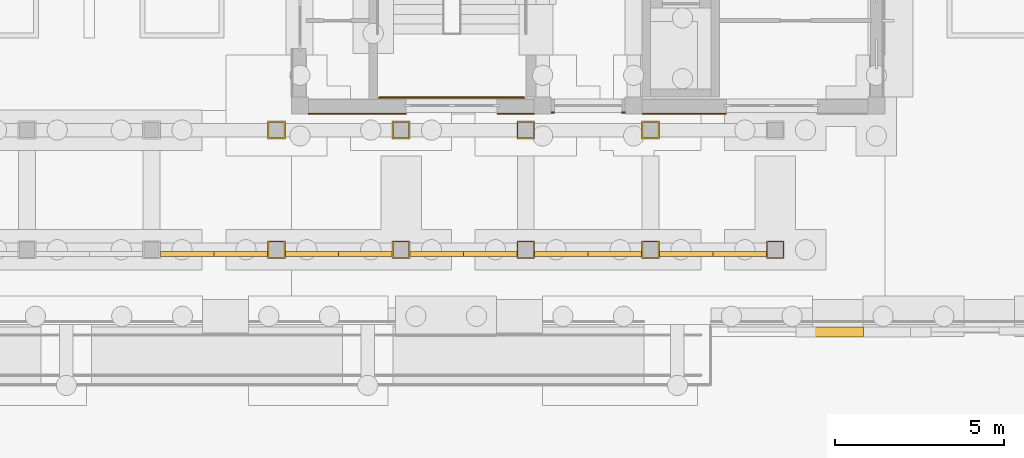
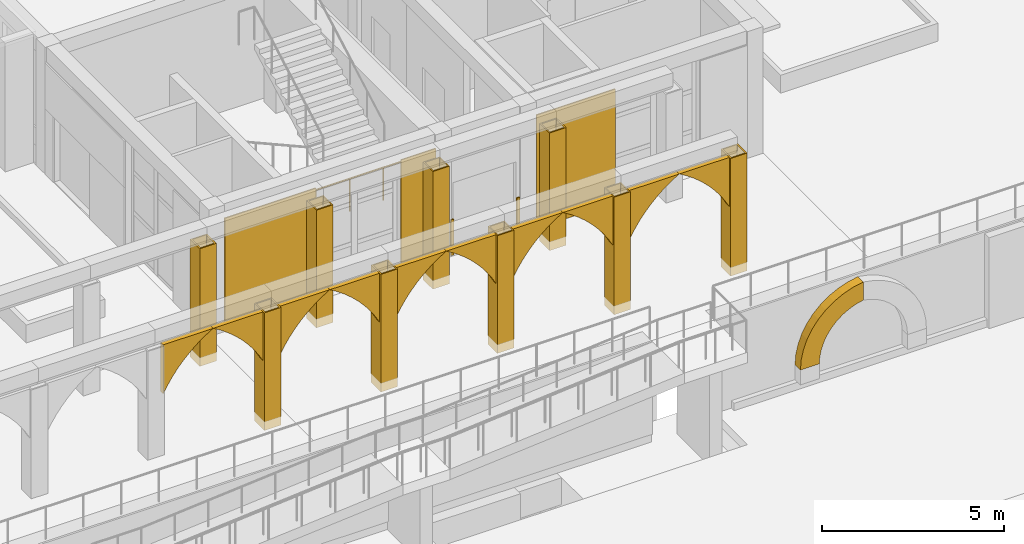
# One storey, part 125 of 161: 25 coverings, 1 railing.
"""IFC4 building model written with IfcOpenShell, lengths in metres."""

from ifc_helpers import new_model, si_unit, direction, frame, origin, origin_2d, place, context, subcontext, project, spatial, polyline, rectangle, circle, outline, extrude, material, layer, layer_set, type_object, element, save


model = new_model("IFC4")

# Units and contexts
model_context = context("Model", 3, precision=1e-05, world=origin(), true_north=direction((0.0, 1.0)))
body_context = subcontext(model_context, "Body", "Model", "MODEL_VIEW")
ifc_project = project(units=[si_unit("LENGTHUNIT", "METRE"), si_unit("AREAUNIT", "SQUARE_METRE"), si_unit("VOLUMEUNIT", "CUBIC_METRE"), si_unit("PLANEANGLEUNIT", "RADIAN"), si_unit("MASSUNIT", "GRAM", prefix="KILO")], contexts=[model_context])

# Site, building, storey
site_placement = place(None, origin())
site = spatial("IfcSite", under=ifc_project, at=site_placement, CompositionType="ELEMENT")
building_placement = place(site_placement, origin())
building = spatial("IfcBuilding", under=site, at=building_placement, Name="Elbe Cascade School", CompositionType="ELEMENT")
storey_placement = place(building_placement, origin())
storey = spatial("IfcBuildingStorey", under=building, at=storey_placement, Name="L00", CompositionType="ELEMENT", Elevation=0.0)

# Railing
ifc_material_1 = material(Name="Steel S355J2H, painted", Category="steel")
railing_type = type_object("IfcRailingType", Name="Bar stair guard 1100", PredefinedType="GUARDRAIL", material=ifc_material_1)
railing_placement = place(storey_placement, frame((160.159912109375, 6.239990234375, 2.25)))
element("IfcRailing", 1, at=railing_placement, inside=storey, type_object=railing_type, Name="Stair guard D0.S", PredefinedType="GUARDRAIL", context=body_context, shape_type="SweptSolid", body=[
    extrude(circle(Radius=0.02392578125, at=origin_2d()), frame((0.0, 0.0, 1.09619140625), z_axis=(1.0, 0.0, 0.0), x_axis=(0.0, 1.0, 0.0)), (0.0, 0.0, 1.0), 4.280029296875),
    extrude(circle(Radius=0.02099609375, at=origin_2d()), origin(), (0.0, 0.0, 1.0), 1.072021484375),
    extrude(circle(Radius=0.02099609375, at=origin_2d()), frame((1.070068359375, 0.0, 0.0)), (0.0, 0.0, 1.0), 1.072021484375),
    extrude(circle(Radius=0.02099609375, at=origin_2d()), frame((2.14013671875, 0.0, 0.0)), (0.0, 0.0, 1.0), 1.072021484375),
    extrude(circle(Radius=0.02099609375, at=origin_2d()), frame((3.2099609375, 0.0, 0.0)), (0.0, 0.0, 1.0), 1.072021484375),
    extrude(circle(Radius=0.02099609375, at=origin_2d()), frame((4.280029296875, 0.0, 0.0)), (0.0, 0.0, 1.0), 1.072021484375),
])

# Coverings
ifc_material_2 = material(Name="Sandstone - red", Category="masonry")
ifc_layer_1 = layer(ifc_material_2, 0.0400390625)
ifc_layer_set_1 = layer_set([ifc_layer_1], Name="Sandstone - red")
covering_type_1 = type_object("IfcCoveringType", Name="Bars envelope Sandstone cladding, red, 40 mm", PredefinedType="CLADDING", material=ifc_layer_set_1)
covering_1_placement = place(storey_placement, frame((159.5, 5.760009765625, 0.0), z_axis=(0.0, 0.0, 1.0), x_axis=(1.0, 0.0, 0.0)))
element("IfcCovering", 2, at=covering_1_placement, inside=storey, type_object=covering_type_1, Name="Sandstone cladding CV48 D.L00.s.1a.1", PredefinedType="CLADDING", context=body_context, shape_type="SweptSolid", body=[
    extrude(rectangle(XDim=2.89990234375, YDim=0.0400390625, at=origin_2d()), origin(), (0.0, 0.0, 1.0), 3.800048828125),
])
covering_2_placement = place(storey_placement, frame((164.199951171875, 5.760009765625, 0.0), z_axis=(0.0, 0.0, 1.0), x_axis=(1.0, 0.0, 0.0)))
element("IfcCovering", 3, at=covering_2_placement, inside=storey, type_object=covering_type_1, Name="Sandstone cladding CV48 D.L00.s.1b.1", PredefinedType="CLADDING", context=body_context, shape_type="SweptSolid", body=[
    extrude(rectangle(XDim=1.10009765625, YDim=0.0400390625, at=origin_2d()), origin(), (0.0, 0.0, 1.0), 3.800048828125),
])
for number, where, z_axis, x_axis, name in (
    (4, (165.300048828125, 5.800048828125, 0.0), (0.0, 0.0, 1.0), (1.0, 0.0, 0.0), "Sandstone cladding CV48 D.L00.s.2.1"),
    (5, (167.39990234375, 5.800048828125, 0.0), (0.0, 0.0, 1.0), (1.0, 0.0, 0.0), "Sandstone cladding CV48 D.L00.s.2.2"),
):
    element("IfcCovering", number, at=place(storey_placement, frame(where, z_axis=z_axis, x_axis=x_axis)), inside=storey, type_object=covering_type_1, Name=name, PredefinedType="CLADDING", context=body_context, shape_type="SweptSolid", body=[
        extrude(rectangle(XDim=0.10009765625, YDim=0.0400390625, at=origin_2d()), origin(), (0.0, 0.0, 1.0), 1.199951171875),
    ])
covering_3_placement = place(storey_placement, frame((169.199951171875, 5.760009765625, 0.0), z_axis=(0.0, 0.0, 1.0), x_axis=(1.0, 0.0, 0.0)))
element("IfcCovering", 6, at=covering_3_placement, inside=storey, type_object=covering_type_1, Name="Sandstone cladding CV48 D.L00.s.3a.1", PredefinedType="CLADDING", context=body_context, shape_type="SweptSolid", body=[
    extrude(rectangle(XDim=2.5, YDim=0.0400390625, at=origin_2d()), origin(), (0.0, 0.0, 1.0), 3.800048828125),
])
ifc_material_3 = material(Name="Sandstone - red", Category="masonry")
ifc_layer_2 = layer(ifc_material_3, 0.300048828125)
ifc_layer_set_2 = layer_set([ifc_layer_2], Name="Sandstone - red")
covering_type_2 = type_object("IfcCoveringType", Name="Plinth niche arch band 600x300", PredefinedType="CLADDING", material=ifc_layer_set_2)
covering_4_placement = place(storey_placement, frame((172.5166015625, -0.860107421875, -2.35009765625), z_axis=(0.0, -1.0, 0.0), x_axis=(1.0, 0.0, 0.0)))
element("IfcCovering", 7, at=covering_4_placement, inside=storey, type_object=covering_type_2, Name="Plinth niche arch band south 0.6.1a", PredefinedType="CLADDING", context=body_context, shape_type="SweptSolid", body=[
    extrude(outline(polyline([(0.0, 0.0), (0.60009765625, 0.0), (0.61669921875, 0.234619140625), (0.666015625, 0.464599609375), (0.746826171875, 0.685302734375), (0.858154296875, 0.892578125), (0.997314453125, 1.08203125), (1.16162109375, 1.250244140625), (1.347900390625, 1.393798828125), (1.552490234375, 1.509521484375), (1.771240234375, 1.595703125), (2.0, 1.650146484375), (2.0, 2.256103515625), (1.6767578125, 2.193115234375), (1.3662109375, 2.083984375), (1.074462890625, 1.930908203125), (0.807861328125, 1.737548828125), (0.572021484375, 1.507568359375), (0.3720703125, 1.245849609375), (0.2119140625, 0.9580078125), (0.094970703125, 0.650146484375), (0.02392578125, 0.32861328125), (0.0, 0.0)])), origin(), (0.0, 0.0, -1.0), 0.300048828125),
])
ifc_material_4 = material(Name="Sandstone - red", Category="masonry")
ifc_layer_3 = layer(ifc_material_4, 0.14990234375)
ifc_layer_set_3 = layer_set([ifc_layer_3], Name="Sandstone - red")
covering_type_3 = type_object("IfcCoveringType", Name="Sandstone arch spandrel 3170x150", PredefinedType="CLADDING", material=ifc_layer_set_3)
covering_5_placement = place(storey_placement, frame((153.6650390625, 1.52490234375, 3.64990234375), z_axis=(0.0, -1.0, 0.0), x_axis=(0.0, 0.0, -1.0)))
element("IfcCovering", 8, at=covering_5_placement, inside=storey, type_object=covering_type_3, Name="Colonnade arch spandrel 40l", PredefinedType="CLADDING", context=body_context, shape_type="SweptSolid", body=[
    extrude(outline(polyline([(0.0, 0.0), (1.64990234375, 0.0), (1.39697265625, 0.141845703125), (1.155029296875, 0.3017578125), (0.92529296875, 0.478759765625), (0.709228515625, 0.671875), (0.507568359375, 0.88037109375), (0.3212890625, 1.1025390625), (0.15185546875, 1.337890625), (0.0, 1.5849609375), (0.0, 0.0)])), origin(), (0.0, 0.0, -1.0), 0.14990234375),
])
covering_6_placement = place(storey_placement, frame((155.25, 1.52490234375, 3.64990234375), z_axis=(0.0, -1.0, 0.0), x_axis=(0.851947232707, 0.0, -0.52362764698)))
element("IfcCovering", 9, at=covering_6_placement, inside=storey, type_object=covering_type_3, Name="Colonnade arch spandrel 40r", PredefinedType="CLADDING", context=body_context, shape_type="SweptSolid", body=[
    extrude(outline(polyline([(0.0, 0.0), (0.2900065908011918, 0.0), (0.5792338172011682, -0.021111896437985944), (0.8660501932777647, -0.06347873721038338), (1.1492726964852549, -0.12610823030003315), (1.4269340071906127, -0.20906326745450166), (1.6980266242612543, -0.3121033802272114), (1.960951535291733, -0.4344919541630051), (2.2142375666576024, -0.5757003697365862), (1.3503030846525463, 0.8299293662587784), (0.0, 0.0)])), origin(), (0.0, 0.0, -1.0), 0.14990234375),
])
covering_7_placement = place(storey_placement, frame((157.364990234375, 1.52490234375, 3.64990234375), z_axis=(0.0, -1.0, 0.0), x_axis=(0.0, 0.0, -1.0)))
element("IfcCovering", 10, at=covering_7_placement, inside=storey, type_object=covering_type_3, Name="Colonnade arch spandrel 41l", PredefinedType="CLADDING", context=body_context, shape_type="SweptSolid", body=[
    extrude(outline(polyline([(0.0, 0.0), (1.64990234375, 0.0), (1.39697265625, 0.141845703125), (1.155029296875, 0.3017578125), (0.92529296875, 0.478759765625), (0.709228515625, 0.672119140625), (0.507568359375, 0.88037109375), (0.3212890625, 1.102783203125), (0.15185546875, 1.337890625), (0.0, 1.5849609375), (0.0, 0.0)])), origin(), (0.0, 0.0, -1.0), 0.14990234375),
])
covering_8_placement = place(storey_placement, frame((158.949951171875, 1.52490234375, 3.64990234375), z_axis=(0.0, -1.0, 0.0), x_axis=(0.851947232707, 0.0, -0.52362764698)))
element("IfcCovering", 11, at=covering_8_placement, inside=storey, type_object=covering_type_3, Name="Colonnade arch spandrel 41r", PredefinedType="CLADDING", context=body_context, shape_type="SweptSolid", body=[
    extrude(outline(polyline([(0.0, 0.0), (0.2900065908011918, 0.0), (0.5792338172011682, -0.021111896437985944), (0.866258188207625, -0.06335089842938235), (1.1492726964852549, -0.12610823030003315), (1.4269340071906127, -0.20906326745450166), (1.6980266242612543, -0.3121033802272114), (1.960951535291733, -0.4344919541630051), (2.2142375666576024, -0.5757003697365862), (1.3503030846525463, 0.8299293662587784), (0.0, 0.0)])), origin(), (0.0, 0.0, -1.0), 0.14990234375),
])
covering_9_placement = place(storey_placement, frame((161.06494140625, 1.52490234375, 3.64990234375), z_axis=(0.0, -1.0, 0.0), x_axis=(0.0, 0.0, -1.0)))
element("IfcCovering", 12, at=covering_9_placement, inside=storey, type_object=covering_type_3, Name="Colonnade arch spandrel 42l", PredefinedType="CLADDING", context=body_context, shape_type="SweptSolid", body=[
    extrude(outline(polyline([(0.0, 0.0), (1.64990234375, 0.0), (1.39697265625, 0.141845703125), (1.155029296875, 0.3017578125), (0.92529296875, 0.478759765625), (0.709228515625, 0.672119140625), (0.507568359375, 0.88037109375), (0.3212890625, 1.102783203125), (0.15185546875, 1.338134765625), (0.0, 1.5849609375), (0.0, 0.0)])), origin(), (0.0, 0.0, -1.0), 0.14990234375),
])
covering_10_placement = place(storey_placement, frame((162.64990234375, 1.52490234375, 3.64990234375), z_axis=(0.0, -1.0, 0.0), x_axis=(0.851947232707, 0.0, -0.52362764698)))
element("IfcCovering", 13, at=covering_10_placement, inside=storey, type_object=covering_type_3, Name="Colonnade arch spandrel 42r", PredefinedType="CLADDING", context=body_context, shape_type="SweptSolid", body=[
    extrude(outline(polyline([(0.0, 0.0), (0.2900065908011918, 0.0), (0.5792338172011682, -0.021111896437985944), (0.866258188207625, -0.06335089842938235), (1.1492726964852549, -0.12610823030003315), (1.4269340071906127, -0.20906326745450166), (1.6980266242612543, -0.3121033802272114), (1.960951535291733, -0.4344919541630051), (2.2144455615874628, -0.5755725309555851), (1.3505110795824065, 0.8300572050397795), (0.0, 0.0)])), origin(), (0.0, 0.0, -1.0), 0.14990234375),
])
covering_11_placement = place(storey_placement, frame((164.764892578125, 1.52490234375, 3.64990234375), z_axis=(0.0, -1.0, 0.0), x_axis=(0.0, 0.0, -1.0)))
element("IfcCovering", 14, at=covering_11_placement, inside=storey, type_object=covering_type_3, Name="Colonnade arch spandrel 43l", PredefinedType="CLADDING", context=body_context, shape_type="SweptSolid", body=[
    extrude(outline(polyline([(0.0, 0.0), (1.64990234375, 0.0), (1.39697265625, 0.14208984375), (1.155029296875, 0.302001953125), (0.92529296875, 0.47900390625), (0.709228515625, 0.672119140625), (0.507568359375, 0.88037109375), (0.3212890625, 1.102783203125), (0.15185546875, 1.338134765625), (0.0, 1.585205078125), (0.0, 0.0)])), origin(), (0.0, 0.0, -1.0), 0.14990234375),
])
covering_12_placement = place(storey_placement, frame((166.35009765625, 1.52490234375, 3.64990234375), z_axis=(0.0, -1.0, 0.0), x_axis=(0.851716162106, 0.0, -0.524003415262)))
element("IfcCovering", 15, at=covering_12_placement, inside=storey, type_object=covering_type_3, Name="Colonnade arch spandrel 43r", PredefinedType="CLADDING", context=body_context, shape_type="SweptSolid", body=[
    extrude(outline(polyline([(0.0, 0.0), (0.28979862406807466, 0.0), (0.5790351354115117, -0.02098430766332937), (0.8660781113695626, -0.06309669056939587), (1.1491202762337052, -0.12572917022788543), (1.4270260923703046, -0.20843378413815372), (1.6981641371186122, -0.3113542998796086), (1.9611430118023847, -0.4336268779193272), (2.214491309750543, -0.5747235477618304), (1.3499368467761932, 0.8305249443074108), (0.0, 0.0)])), origin(), (0.0, 0.0, -1.0), 0.14990234375),
])
covering_13_placement = place(storey_placement, frame((168.465087890625, 1.52490234375, 3.64990234375), z_axis=(0.0, -1.0, 0.0), x_axis=(0.0, 0.0, -1.0)))
element("IfcCovering", 16, at=covering_13_placement, inside=storey, type_object=covering_type_3, Name="Colonnade arch spandrel 44l", PredefinedType="CLADDING", context=body_context, shape_type="SweptSolid", body=[
    extrude(outline(polyline([(0.0, 0.0), (1.64990234375, 0.0), (1.39697265625, 0.141845703125), (1.155029296875, 0.3017578125), (0.92529296875, 0.478759765625), (0.709228515625, 0.671875), (0.507568359375, 0.880126953125), (0.3212890625, 1.1025390625), (0.15185546875, 1.337890625), (0.0, 1.5849609375), (0.0, 0.0)])), origin(), (0.0, 0.0, -1.0), 0.14990234375),
])
covering_14_placement = place(storey_placement, frame((170.050048828125, 1.52490234375, 3.64990234375), z_axis=(0.0, -1.0, 0.0), x_axis=(0.851947232707, 0.0, -0.52362764698)))
element("IfcCovering", 17, at=covering_14_placement, inside=storey, type_object=covering_type_3, Name="Colonnade arch spandrel 44r", PredefinedType="CLADDING", context=body_context, shape_type="SweptSolid", body=[
    extrude(outline(polyline([(0.0, 0.0), (0.2900065908011918, 0.0), (0.5790258222713079, -0.021239735218986977), (0.8660501932777647, -0.06347873721038338), (1.1490647015553945, -0.12623606908103424), (1.4269340071906127, -0.20906326745450166), (1.6980266242612543, -0.3121033802272114), (1.960951535291733, -0.4344919541630051), (2.2142375666576024, -0.5757003697365862), (1.3503030846525463, 0.8299293662587784), (0.0, 0.0)])), origin(), (0.0, 0.0, -1.0), 0.14990234375),
])
ifc_material_5 = material(Name="Sandstone - red", Category="masonry")
ifc_layer_4 = layer(ifc_material_5, 0.0400390625)
ifc_layer_set_4 = layer_set([ifc_layer_4], Name="Sandstone - red")
covering_type_4 = type_object("IfcCoveringType", Name="Sandstone column cladding 40", PredefinedType="CLADDING", material=ifc_layer_set_4)
covering_15_placement = place(storey_placement, frame((0.0, 0.0, -0.300048828125)))
element("IfcCovering", 18, at=covering_15_placement, inside=storey, type_object=covering_type_4, Name="Colonnade column sandstone cladding F41", PredefinedType="CLADDING", context=body_context, shape_type="SweptSolid", body=[
    extrude(outline(polyline([(156.8349609375, 1.4599609375), (157.364990234375, 1.4599609375), (157.364990234375, 1.989990234375), (156.8349609375, 1.989990234375), (156.8349609375, 1.4599609375)]), holes=[polyline([(156.875, 1.949951171875), (157.324951171875, 1.949951171875), (157.324951171875, 1.5), (156.875, 1.5), (156.875, 1.949951171875)])]), origin(), (0.0, 0.0, 1.0), 3.949951171875),
])
covering_16_placement = place(storey_placement, frame((0.0, 0.0, -0.300048828125)))
element("IfcCovering", 19, at=covering_16_placement, inside=storey, type_object=covering_type_4, Name="Colonnade column sandstone cladding F42", PredefinedType="CLADDING", context=body_context, shape_type="SweptSolid", body=[
    extrude(outline(polyline([(160.534912109375, 1.4599609375), (161.06494140625, 1.4599609375), (161.06494140625, 1.989990234375), (160.534912109375, 1.989990234375), (160.534912109375, 1.4599609375)]), holes=[polyline([(160.574951171875, 1.949951171875), (161.02490234375, 1.949951171875), (161.02490234375, 1.5), (160.574951171875, 1.5), (160.574951171875, 1.949951171875)])]), origin(), (0.0, 0.0, 1.0), 3.949951171875),
])
covering_17_placement = place(storey_placement, frame((0.0, 0.0, -0.300048828125)))
element("IfcCovering", 20, at=covering_17_placement, inside=storey, type_object=covering_type_4, Name="Colonnade column sandstone cladding F43", PredefinedType="CLADDING", context=body_context, shape_type="SweptSolid", body=[
    extrude(outline(polyline([(164.235107421875, 1.4599609375), (164.764892578125, 1.4599609375), (164.764892578125, 1.989990234375), (164.235107421875, 1.989990234375), (164.235107421875, 1.4599609375)]), holes=[polyline([(164.27490234375, 1.949951171875), (164.72509765625, 1.949951171875), (164.72509765625, 1.5), (164.27490234375, 1.5), (164.27490234375, 1.949951171875)])]), origin(), (0.0, 0.0, 1.0), 3.949951171875),
])
covering_18_placement = place(storey_placement, frame((0.0, 0.0, -0.300048828125)))
element("IfcCovering", 21, at=covering_18_placement, inside=storey, type_object=covering_type_4, Name="Colonnade column sandstone cladding F44", PredefinedType="CLADDING", context=body_context, shape_type="SweptSolid", body=[
    extrude(outline(polyline([(167.93505859375, 1.4599609375), (168.465087890625, 1.4599609375), (168.465087890625, 1.989990234375), (167.93505859375, 1.989990234375), (167.93505859375, 1.4599609375)]), holes=[polyline([(167.97509765625, 1.949951171875), (168.425048828125, 1.949951171875), (168.425048828125, 1.5), (167.97509765625, 1.5), (167.97509765625, 1.949951171875)])]), origin(), (0.0, 0.0, 1.0), 3.949951171875),
])
covering_19_placement = place(storey_placement, frame((0.0, 0.0, -0.300048828125)))
element("IfcCovering", 22, at=covering_19_placement, inside=storey, type_object=covering_type_4, Name="Colonnade column sandstone cladding F45", PredefinedType="CLADDING", context=body_context, shape_type="SweptSolid", body=[
    extrude(outline(polyline([(171.635009765625, 1.4599609375), (172.1650390625, 1.4599609375), (172.1650390625, 1.989990234375), (171.635009765625, 1.989990234375), (171.635009765625, 1.4599609375)]), holes=[polyline([(171.675048828125, 1.949951171875), (172.125, 1.949951171875), (172.125, 1.5), (171.675048828125, 1.5), (171.675048828125, 1.949951171875)])]), origin(), (0.0, 0.0, 1.0), 3.949951171875),
])
covering_20_placement = place(storey_placement, frame((0.0, 0.0, -0.300048828125)))
element("IfcCovering", 23, at=covering_20_placement, inside=storey, type_object=covering_type_4, Name="Colonnade column sandstone cladding R41", PredefinedType="CLADDING", context=body_context, shape_type="SweptSolid", body=[
    extrude(outline(polyline([(156.8349609375, 5.010009765625), (157.364990234375, 5.010009765625), (157.364990234375, 5.5400390625), (156.8349609375, 5.5400390625), (156.8349609375, 5.010009765625)]), holes=[polyline([(156.875, 5.5), (157.324951171875, 5.5), (157.324951171875, 5.050048828125), (156.875, 5.050048828125), (156.875, 5.5)])]), origin(), (0.0, 0.0, 1.0), 3.949951171875),
])
covering_21_placement = place(storey_placement, frame((0.0, 0.0, -0.300048828125)))
element("IfcCovering", 24, at=covering_21_placement, inside=storey, type_object=covering_type_4, Name="Colonnade column sandstone cladding R42", PredefinedType="CLADDING", context=body_context, shape_type="SweptSolid", body=[
    extrude(outline(polyline([(160.534912109375, 5.010009765625), (161.06494140625, 5.010009765625), (161.06494140625, 5.5400390625), (160.534912109375, 5.5400390625), (160.534912109375, 5.010009765625)]), holes=[polyline([(160.574951171875, 5.5), (161.02490234375, 5.5), (161.02490234375, 5.050048828125), (160.574951171875, 5.050048828125), (160.574951171875, 5.5)])]), origin(), (0.0, 0.0, 1.0), 3.949951171875),
])
covering_22_placement = place(storey_placement, frame((0.0, 0.0, -0.300048828125)))
element("IfcCovering", 25, at=covering_22_placement, inside=storey, type_object=covering_type_4, Name="Colonnade column sandstone cladding R43", PredefinedType="CLADDING", context=body_context, shape_type="SweptSolid", body=[
    extrude(outline(polyline([(164.235107421875, 5.010009765625), (164.764892578125, 5.010009765625), (164.764892578125, 5.5400390625), (164.235107421875, 5.5400390625), (164.235107421875, 5.010009765625)]), holes=[polyline([(164.27490234375, 5.5), (164.72509765625, 5.5), (164.72509765625, 5.050048828125), (164.27490234375, 5.050048828125), (164.27490234375, 5.5)])]), origin(), (0.0, 0.0, 1.0), 3.949951171875),
])
covering_23_placement = place(storey_placement, frame((0.0, 0.0, -0.300048828125)))
element("IfcCovering", 26, at=covering_23_placement, inside=storey, type_object=covering_type_4, Name="Colonnade column sandstone cladding R44", PredefinedType="CLADDING", context=body_context, shape_type="SweptSolid", body=[
    extrude(outline(polyline([(167.93505859375, 5.010009765625), (168.465087890625, 5.010009765625), (168.465087890625, 5.5400390625), (167.93505859375, 5.5400390625), (167.93505859375, 5.010009765625)]), holes=[polyline([(167.97509765625, 5.5), (168.425048828125, 5.5), (168.425048828125, 5.050048828125), (167.97509765625, 5.050048828125), (167.97509765625, 5.5)])]), origin(), (0.0, 0.0, 1.0), 3.949951171875),
])

save(model, "model.ifc")
